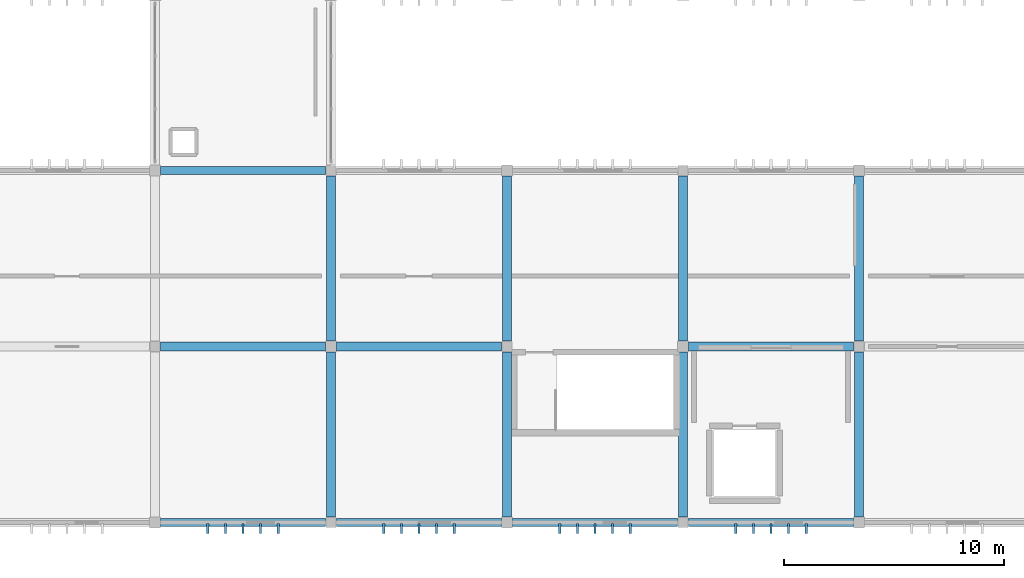
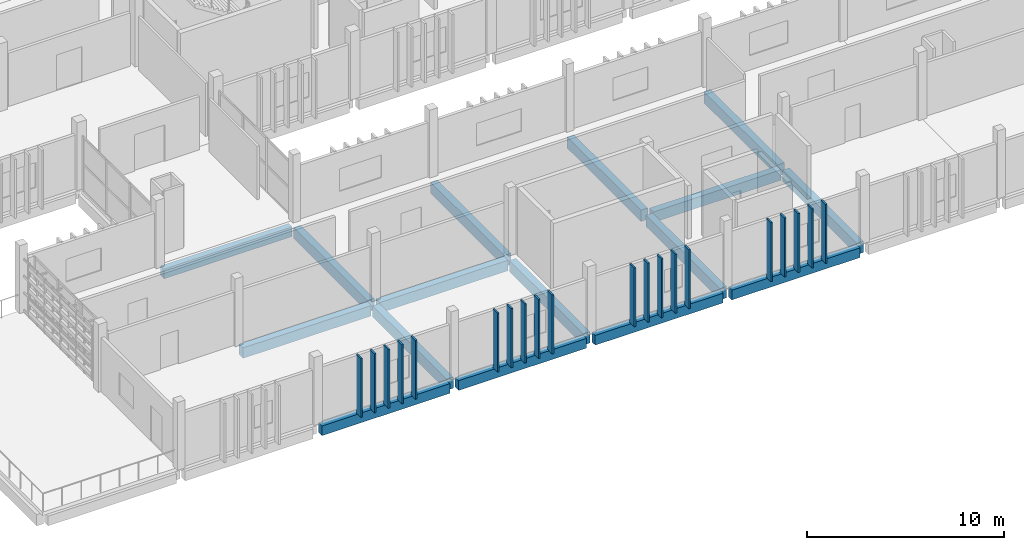
# One storey, part 15 of 63: 20 members, 16 beams.
"""IFC4 building model written with IfcOpenShell, lengths in metres."""

from ifc_helpers import new_model, si_unit, direction, frame, origin, origin_2d, place, context, subcontext, project, spatial, rectangle, extrude, material, material_profile, profile_set, type_object, element, save


model = new_model("IFC4")

# Units and contexts
model_context = context("Model", 3, precision=1e-05, world=origin(), true_north=direction((0.0, 1.0)))
body_context = subcontext(model_context, "Body", "Model", "MODEL_VIEW")
ifc_project = project(units=[si_unit("LENGTHUNIT", "METRE"), si_unit("AREAUNIT", "SQUARE_METRE"), si_unit("VOLUMEUNIT", "CUBIC_METRE"), si_unit("PLANEANGLEUNIT", "RADIAN"), si_unit("MASSUNIT", "GRAM", prefix="KILO")], contexts=[model_context])

# Site, building, storey
site_placement = place(None, origin())
site = spatial("IfcSite", under=ifc_project, at=site_placement, CompositionType="ELEMENT")
building_placement = place(site_placement, origin())
building = spatial("IfcBuilding", under=site, at=building_placement, Name="Jelvoka-Kovrelna Polytechnic", CompositionType="ELEMENT")
storey_placement = place(building_placement, frame((0.0, 0.0, 18.0)))
storey = spatial("IfcBuildingStorey", under=building, at=storey_placement, Name="L05", CompositionType="ELEMENT", Elevation=18.0)

# Beams
ifc_material_1 = material(Name="Concrete C40/50", Category="concrete")
ifc_material_profile_1 = material_profile(ifc_material_1, rectangle(XDim=0.39990234375, YDim=0.64990234375, at=origin_2d()), Name="RC 400x650")
ifc_profile_set_1 = profile_set([ifc_material_profile_1], Name="Concrete C40/50")
beam_type_1 = type_object("IfcBeamType", Name="Beam_RC_400x650", PredefinedType="BEAM", material=ifc_profile_set_1)
for number, where, z_axis, x_axis, name in (
    (1, (72.2548828125, 16.0, -0.574951171875), (1.0, 0.0, 0.0), (0.0, 1.0, 0.0), "L05 beam 1374"),
    (2, (80.2548828125, 16.0, -0.574951171875), (1.0, 0.0, 0.0), (0.0, 1.0, 0.0), "L05 beam 1375"),
    (3, (96.2548828125, 16.0, -0.574951171875), (1.0, 0.0, 0.0), (0.0, 1.0, 0.0), "L05 beam 1376"),
):
    element("IfcBeam", number, at=place(storey_placement, frame(where, z_axis=z_axis, x_axis=x_axis)), inside=storey, type_object=beam_type_1, Name=name, PredefinedType="BEAM", context=body_context, shape_type="SweptSolid", body=[
        extrude(rectangle(XDim=0.39990234375, YDim=0.64990234375, at=origin_2d()), origin(), (0.0, 0.0, 1.0), 7.490234375),
    ])
ifc_material_2 = material(Name="Concrete C40/50", Category="concrete")
ifc_material_profile_2 = material_profile(ifc_material_2, rectangle(XDim=0.39990234375, YDim=0.699951171875, at=origin_2d()), Name="RC 400x700")
ifc_profile_set_2 = profile_set([ifc_material_profile_2], Name="Concrete C40/50")
beam_type_2 = type_object("IfcBeamType", Name="Beam_RC_400x700", PredefinedType="BEAM", material=ifc_profile_set_2)
for number, where, z_axis, x_axis, name in (
    (4, (80.0, 8.2548828125, -0.60009765625), (0.0, 1.0, 0.0), (-1.0, 0.0, 0.0), "L05 beam 1388"),
    (5, (80.0, 16.2548828125, -0.60009765625), (0.0, 1.0, 0.0), (-1.0, 0.0, 0.0), "L05 beam 1389"),
    (6, (88.0, 8.2548828125, -0.60009765625), (0.0, 1.0, 0.0), (-1.0, 0.0, 0.0), "L05 beam 1390"),
    (7, (88.0, 16.2548828125, -0.60009765625), (0.0, 1.0, 0.0), (-1.0, 0.0, 0.0), "L05 beam 1391"),
    (8, (96.0, 8.2548828125, -0.60009765625), (0.0, 1.0, 0.0), (-1.0, 0.0, 0.0), "L05 beam 1392"),
    (9, (96.0, 16.2548828125, -0.60009765625), (0.0, 1.0, 0.0), (-1.0, 0.0, 0.0), "L05 beam 1393"),
    (10, (104.0, 8.2548828125, -0.60009765625), (0.0, 1.0, 0.0), (-1.0, 0.0, 0.0), "L05 beam 1394"),
    (11, (104.0, 16.2548828125, -0.60009765625), (0.0, 1.0, 0.0), (-1.0, 0.0, 0.0), "L05 beam 1395"),
):
    element("IfcBeam", number, at=place(storey_placement, frame(where, z_axis=z_axis, x_axis=x_axis)), inside=storey, type_object=beam_type_2, Name=name, PredefinedType="BEAM", context=body_context, shape_type="SweptSolid", body=[
        extrude(rectangle(XDim=0.39990234375, YDim=0.699951171875, at=origin_2d()), origin(), (0.0, 0.0, 1.0), 7.490234375),
    ])

# Members
ifc_material_3 = material(Name="Precast concrete C40/50", Category="concrete")
ifc_material_profile_3 = material_profile(ifc_material_3, rectangle(XDim=0.10009765625, YDim=0.449951171875, at=origin_2d()), Name="PC 100x450")
ifc_profile_set_3 = profile_set([ifc_material_profile_3], Name="Precast concrete C40/50")
member_type = type_object("IfcMemberType", Name="Louvre_Fin_100x450", PredefinedType="USERDEFINED", material=ifc_profile_set_3)
for number, where, z_axis, x_axis, name in (
    (12, (74.39990234375, 7.735107421875, -0.27001953125), (0.0, 0.0, 1.0), (1.0, 0.0, 0.0), "L05 B1 south vertical solar louvre fin 0466"),
    (13, (75.199951171875, 7.735107421875, -0.27001953125), (0.0, 0.0, 1.0), (1.0, 0.0, 0.0), "L05 B1 south vertical solar louvre fin 0467"),
    (14, (76.0, 7.735107421875, -0.27001953125), (0.0, 0.0, 1.0), (1.0, 0.0, 0.0), "L05 B1 south vertical solar louvre fin 0468"),
    (15, (76.800048828125, 7.735107421875, -0.27001953125), (0.0, 0.0, 1.0), (1.0, 0.0, 0.0), "L05 B1 south vertical solar louvre fin 0469"),
    (16, (77.60009765625, 7.735107421875, -0.27001953125), (0.0, 0.0, 1.0), (1.0, 0.0, 0.0), "L05 B1 south vertical solar louvre fin 0470"),
    (17, (82.39990234375, 7.735107421875, -0.27001953125), (0.0, 0.0, 1.0), (1.0, 0.0, 0.0), "L05 B1 south vertical solar louvre fin 0471"),
    (18, (83.199951171875, 7.735107421875, -0.27001953125), (0.0, 0.0, 1.0), (1.0, 0.0, 0.0), "L05 B1 south vertical solar louvre fin 0472"),
    (19, (84.0, 7.735107421875, -0.27001953125), (0.0, 0.0, 1.0), (1.0, 0.0, 0.0), "L05 B1 south vertical solar louvre fin 0473"),
    (20, (84.800048828125, 7.735107421875, -0.27001953125), (0.0, 0.0, 1.0), (1.0, 0.0, 0.0), "L05 B1 south vertical solar louvre fin 0474"),
    (21, (85.60009765625, 7.735107421875, -0.27001953125), (0.0, 0.0, 1.0), (1.0, 0.0, 0.0), "L05 B1 south vertical solar louvre fin 0475"),
    (22, (90.39990234375, 7.735107421875, -0.27001953125), (0.0, 0.0, 1.0), (1.0, 0.0, 0.0), "L05 B1 south vertical solar louvre fin 0481"),
    (23, (91.199951171875, 7.735107421875, -0.27001953125), (0.0, 0.0, 1.0), (1.0, 0.0, 0.0), "L05 B1 south vertical solar louvre fin 0482"),
    (24, (92.0, 7.735107421875, -0.27001953125), (0.0, 0.0, 1.0), (1.0, 0.0, 0.0), "L05 B1 south vertical solar louvre fin 0483"),
    (25, (92.800048828125, 7.735107421875, -0.27001953125), (0.0, 0.0, 1.0), (1.0, 0.0, 0.0), "L05 B1 south vertical solar louvre fin 0484"),
    (26, (93.60009765625, 7.735107421875, -0.27001953125), (0.0, 0.0, 1.0), (1.0, 0.0, 0.0), "L05 B1 south vertical solar louvre fin 0485"),
    (27, (98.39990234375, 7.735107421875, -0.27001953125), (0.0, 0.0, 1.0), (1.0, 0.0, 0.0), "L05 B1 south vertical solar louvre fin 0491"),
    (28, (99.199951171875, 7.735107421875, -0.27001953125), (0.0, 0.0, 1.0), (1.0, 0.0, 0.0), "L05 B1 south vertical solar louvre fin 0492"),
    (29, (100.0, 7.735107421875, -0.27001953125), (0.0, 0.0, 1.0), (1.0, 0.0, 0.0), "L05 B1 south vertical solar louvre fin 0493"),
    (30, (100.800048828125, 7.735107421875, -0.27001953125), (0.0, 0.0, 1.0), (1.0, 0.0, 0.0), "L05 B1 south vertical solar louvre fin 0494"),
    (31, (101.60009765625, 7.735107421875, -0.27001953125), (0.0, 0.0, 1.0), (1.0, 0.0, 0.0), "L05 B1 south vertical solar louvre fin 0495"),
):
    element("IfcMember", number, at=place(storey_placement, frame(where, z_axis=z_axis, x_axis=x_axis)), inside=storey, type_object=member_type, Name=name, ObjectType="SUNSHADE", PredefinedType="USERDEFINED", context=body_context, shape_type="SweptSolid", body=[
        extrude(rectangle(XDim=0.10009765625, YDim=0.449951171875, at=origin_2d()), origin(), (0.0, 0.0, 1.0), 3.655029296875),
    ])

# Beams
ifc_material_4 = material(Name="Concrete C40/50", Category="concrete")
ifc_material_profile_4 = material_profile(ifc_material_4, rectangle(XDim=0.35009765625, YDim=0.60009765625, at=origin_2d()), Name="RC 350x600")
ifc_profile_set_4 = profile_set([ifc_material_profile_4], Name="Concrete C40/50")
beam_type_3 = type_object("IfcBeamType", Name="Spandrel_RC_350x600", PredefinedType="SPANDREL", material=ifc_profile_set_4)
for number, where, z_axis, x_axis, name in (
    (32, (72.2548828125, 8.0, -0.550048828125), (1.0, 0.0, 0.0), (0.0, 1.0, 0.0), "L05 beam 1368"),
    (33, (80.2548828125, 8.0, -0.550048828125), (1.0, 0.0, 0.0), (0.0, 1.0, 0.0), "L05 beam 1369"),
    (34, (88.2548828125, 8.0, -0.550048828125), (1.0, 0.0, 0.0), (0.0, 1.0, 0.0), "L05 beam 1370"),
    (35, (96.2548828125, 8.0, -0.550048828125), (1.0, 0.0, 0.0), (0.0, 1.0, 0.0), "L05 beam 1371"),
    (36, (72.2548828125, 24.0, -0.550048828125), (1.0, 0.0, 0.0), (0.0, 1.0, 0.0), "L05 beam 1379"),
):
    element("IfcBeam", number, at=place(storey_placement, frame(where, z_axis=z_axis, x_axis=x_axis)), inside=storey, type_object=beam_type_3, Name=name, PredefinedType="SPANDREL", context=body_context, shape_type="SweptSolid", body=[
        extrude(rectangle(XDim=0.35009765625, YDim=0.60009765625, at=origin_2d()), origin(), (0.0, 0.0, 1.0), 7.490234375),
    ])

save(model, "model.ifc")
